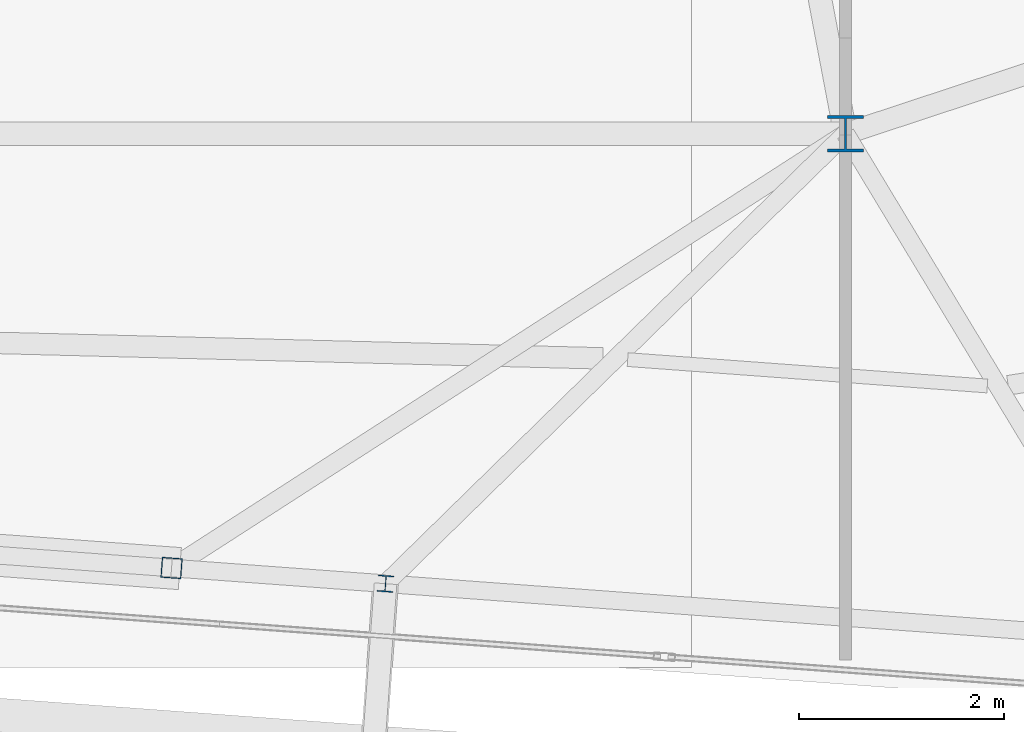
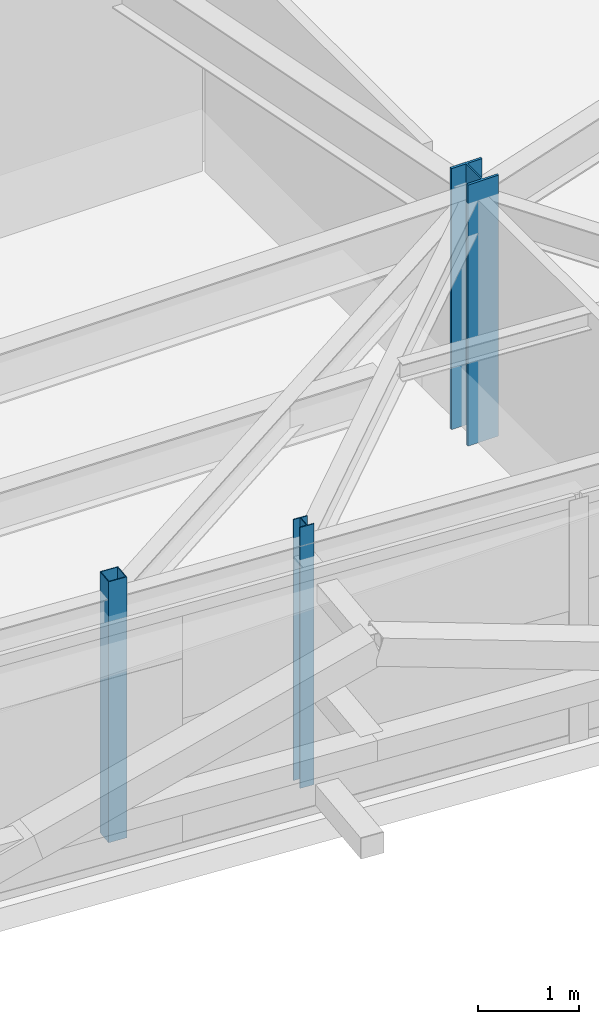
# One storey, part 2 of 35: 3 columns.
"""IFC4 building model written with IfcOpenShell, lengths in metres."""

from ifc_helpers import new_model, si_unit, direction, frame, origin, origin_2d, place, context, subcontext, project, spatial, hollow_rectangle, i_section, extrude, source, transform, mapped, material, material_profile, profile_set, type_object, element, save


model = new_model("IFC4")

# Units and contexts
model_context = context("Model", 3, precision=1e-05, world=origin(), true_north=direction((0.0, 1.0)))
body_context = subcontext(model_context, "Body", "Model", "MODEL_VIEW")
ifc_project = project(units=[si_unit("LENGTHUNIT", "METRE"), si_unit("AREAUNIT", "SQUARE_METRE"), si_unit("VOLUMEUNIT", "CUBIC_METRE"), si_unit("PLANEANGLEUNIT", "RADIAN"), si_unit("MASSUNIT", "GRAM", prefix="KILO")], contexts=[model_context])

# Site, building, storey
site_placement = place(None, origin())
site = spatial("IfcSite", under=ifc_project, at=site_placement, CompositionType="ELEMENT")
building_placement = place(site_placement, origin())
building = spatial("IfcBuilding", under=site, at=building_placement, Name="Taldren Reach Tower", CompositionType="ELEMENT")
storey_placement = place(building_placement, frame((0.0, 0.0, 236.60009765625)))
storey = spatial("IfcBuildingStorey", under=building, at=storey_placement, Name="L72", CompositionType="ELEMENT", Elevation=236.60009765625)

# Columns
ifc_material_1 = material(Name="Steel Gr 350 (350PLUS)", Category="steel")
ifc_material_profile_1 = material_profile(ifc_material_1, i_section(OverallWidth=0.35009765625, OverallDepth=0.35595703125, WebThickness=0.01806640625, FlangeThickness=0.028076171875, at=origin_2d()), Name="350WC197")
ifc_profile_set_1 = profile_set([ifc_material_profile_1], Name="Steel Gr 350 (350PLUS)")
column_type_1 = type_object("IfcColumnType", Name="COL-WC350", PredefinedType="COLUMN", material=ifc_profile_set_1)
shared_shape_1 = source(origin(), body_context, "Body", "SweptSolid", [
    extrude(i_section(OverallWidth=0.35009765625, OverallDepth=0.35595703125, WebThickness=0.01806640625, FlangeThickness=0.028076171875, at=origin_2d()), origin(), (0.0, 0.0, 1.0), 3.14990234375),
])
column_1_placement = place(storey_placement, frame((42.0, 9.199951171875, 0.0), z_axis=(0.0, 0.0, 1.0), x_axis=(1.0, 0.0, 0.0)))
element("IfcColumn", 1, at=column_1_placement, inside=storey, type_object=column_type_1, Name="Mega column MC-PJE L72", PredefinedType="COLUMN", context=body_context, shape_type="MappedRepresentation", body=[
    mapped(shared_shape_1, transform((0.0, 0.0, 0.0), scale=1.0)),
])
ifc_material_2 = material(Name="Steel Gr 350 (C350L0)", Category="steel")
ifc_material_profile_2 = material_profile(ifc_material_2, hollow_rectangle(XDim=0.199951171875, YDim=0.199951171875, WallThickness=0.009033203125, at=origin_2d()), Name="200x200x9.0SHS")
ifc_profile_set_2 = profile_set([ifc_material_profile_2], Name="Steel Gr 350 (C350L0)")
column_type_2 = type_object("IfcColumnType", Name="COL-SHS200", PredefinedType="COLUMN", material=ifc_profile_set_2)
shared_shape_2 = source(origin(), body_context, "Body", "SweptSolid", [
    extrude(hollow_rectangle(XDim=0.199951171875, YDim=0.199951171875, WallThickness=0.009033203125, at=origin_2d()), origin(), (0.0, 0.0, 1.0), 3.14990234375),
])
column_2_placement = place(storey_placement, frame((35.43603515625, 4.9697265625, 0.0), z_axis=(0.0, 0.0, 1.0), x_axis=(0.997314477224, -0.073238197128, 0.0)))
element("IfcColumn", 2, at=column_2_placement, inside=storey, type_object=column_type_2, Name="Block B5 perimeter column PJ2 L72", PredefinedType="COLUMN", context=body_context, shape_type="MappedRepresentation", body=[
    mapped(shared_shape_2, transform((0.0, 0.0, 0.0), scale=1.0)),
])
ifc_material_profile_3 = material_profile(ifc_material_1, i_section(OverallWidth=0.154052734375, OverallDepth=0.162109375, WebThickness=0.008056640625, FlangeThickness=0.011474609375, at=origin_2d()), Name="150UC37.2")
ifc_profile_set_3 = profile_set([ifc_material_profile_3], Name="Steel Gr 350 (350PLUS)")
column_type_3 = type_object("IfcColumnType", Name="COL-UC150", PredefinedType="COLUMN", material=ifc_profile_set_3)
shared_shape_3 = source(origin(), body_context, "Body", "SweptSolid", [
    extrude(i_section(OverallWidth=0.154052734375, OverallDepth=0.162109375, WebThickness=0.008056640625, FlangeThickness=0.011474609375, at=origin_2d()), origin(), (0.0, 0.0, 1.0), 3.14990234375),
])
column_3_placement = place(storey_placement, frame((37.5205078125, 4.81689453125, 0.0), z_axis=(0.0, 0.0, 1.0), x_axis=(0.997314477224, -0.073238197128, 0.0)))
element("IfcColumn", 3, at=column_3_placement, inside=storey, type_object=column_type_3, Name="Block B5 perimeter column S4 L72", PredefinedType="COLUMN", context=body_context, shape_type="MappedRepresentation", body=[
    mapped(shared_shape_3, transform((0.0, 0.0, 0.0), scale=1.0)),
])

save(model, "model.ifc")
